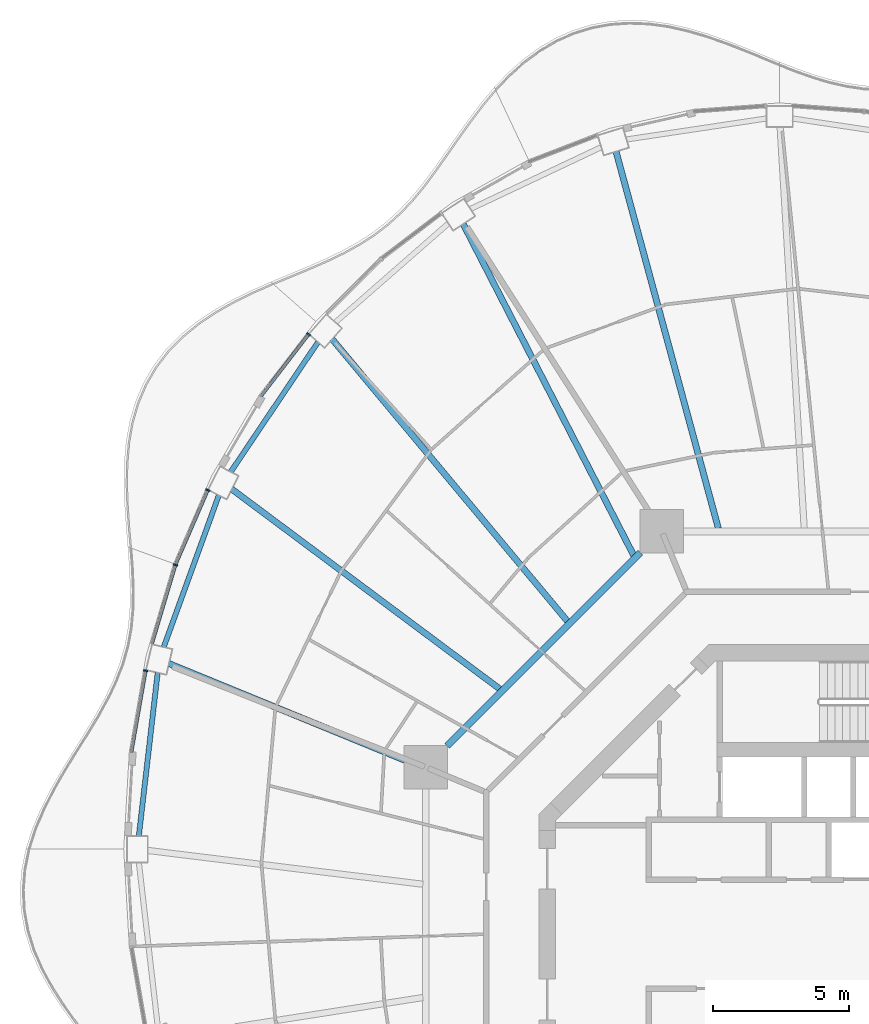
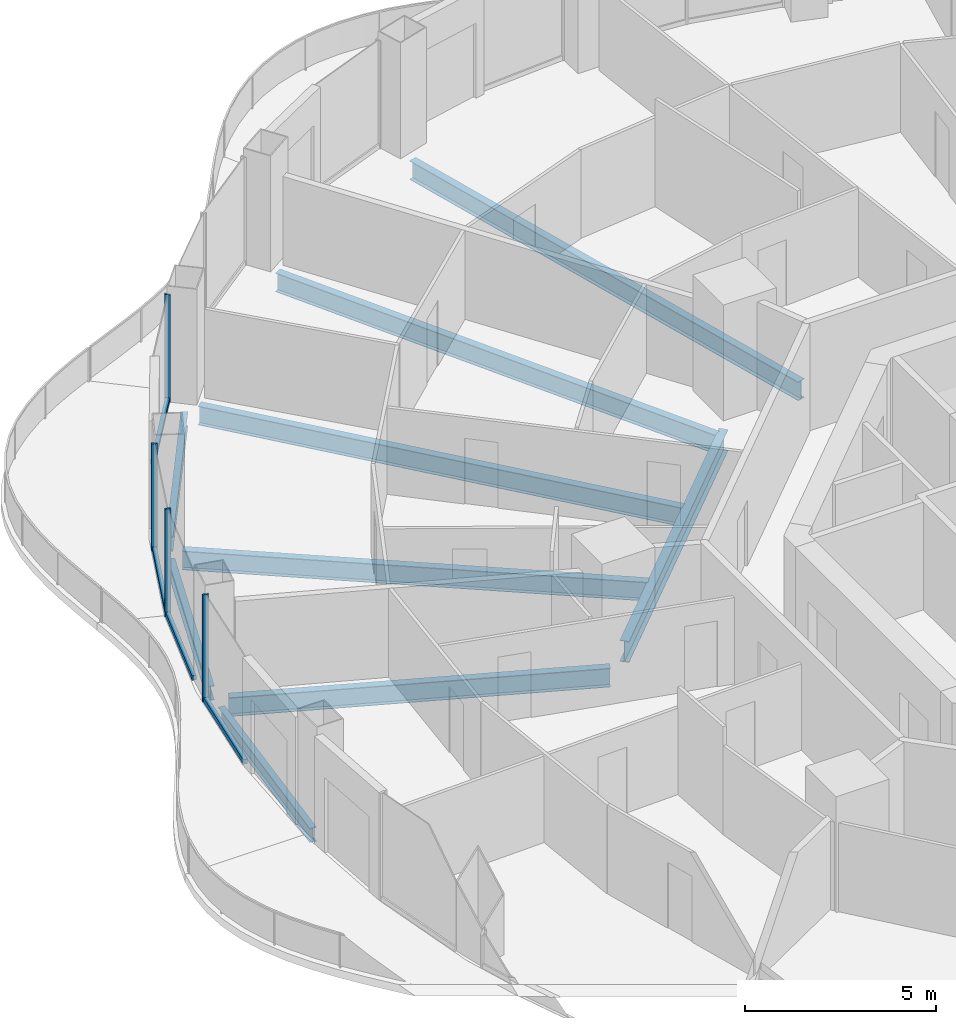
# One storey, part 5 of 18: 9 beams, 8 members, 4 elements without a shape of their own.
"""IFC4 building model written with IfcOpenShell, lengths in metres."""

import ifcopenshell
import ifcopenshell.guid

model = None  # the IFC model being written
_history = None  # IfcOwnerHistory: only IFC2X3 demands one
_inside = {}  # id of a spatial element -> (the spatial element, [elements in it])
_under = {}  # id of a project, library or spatial element -> (it, [spatial elements below it])
_declared = {}  # id of a project -> (the project, [libraries it declares])
_typed = {}  # id of a type object -> (the type object, [elements of that type])
_made_of = {}  # id of a material, layer set ... -> (it, [elements and type objects made of it])


def new_model(schema):
    """Start an empty IFC model of exactly this schema.

    Asked for "IFC4X3", IfcOpenShell would pick the latest addendum, in which some entities
    have other attributes; the version numbers below select the first issue.
    IFC2X3 requires an IfcOwnerHistory on every rooted entity: one is made here for all.
    """
    global model, _history
    if schema == "IFC4X3":
        model = ifcopenshell.file(schema_version=(4, 3, 0, 0))
    else:
        model = ifcopenshell.file(schema=schema)
    _inside.clear()
    _under.clear()
    _declared.clear()
    _typed.clear()
    _made_of.clear()
    _history = None
    if model.schema == "IFC2X3":
        org = make("IfcOrganization", Name="unknown")
        user = make(
            "IfcPersonAndOrganization",
            ThePerson=make("IfcPerson", FamilyName="unknown"),
            TheOrganization=org,
        )
        app = make(
            "IfcApplication",
            ApplicationDeveloper=org,
            Version="unknown",
            ApplicationFullName="unknown",
            ApplicationIdentifier="unknown",
        )
        _history = make(
            "IfcOwnerHistory",
            OwningUser=user,
            OwningApplication=app,
            ChangeAction="ADDED",
            CreationDate=0,
        )
    return model


def make(cls, **values):
    """One entity of the class cls with the attributes given. An attribute that is None is left unset."""
    return model.create_entity(
        cls, **{name: value for name, value in values.items() if value is not None}
    )


def rooted(cls, **values):
    """An entity with a GlobalId (a new one), such as an element, a storey or a relation."""
    return make(cls, GlobalId=ifcopenshell.guid.new(), OwnerHistory=_history, **values)


def si_unit(unit_type, name, prefix=None):
    """IfcSIUnit, for example si_unit("LENGTHUNIT", "METRE", prefix="MILLI")."""
    return make("IfcSIUnit", UnitType=unit_type, Prefix=prefix, Name=name)


def assignment(units):
    """IfcUnitAssignment: the units of a project."""
    return None if units is None else make("IfcUnitAssignment", Units=units)


def point(xyz):
    """IfcCartesianPoint."""
    return None if xyz is None else make("IfcCartesianPoint", Coordinates=xyz)


def direction(xyz):
    """IfcDirection."""
    return None if xyz is None else make("IfcDirection", DirectionRatios=xyz)


def frame(location, z_axis=None, x_axis=None):
    """IfcAxis2Placement3D, a coordinate frame: its origin and axes. An axis left out is left unset."""
    return make(
        "IfcAxis2Placement3D",
        Location=point(location),
        Axis=direction(z_axis),
        RefDirection=direction(x_axis),
    )


def frame_2d(location, x_axis=None):
    """IfcAxis2Placement2D, a coordinate frame in the plane: its origin and x axis."""
    return make(
        "IfcAxis2Placement2D", Location=point(location), RefDirection=direction(x_axis)
    )


def origin():
    """The frame at (0, 0, 0) with its axes left unset."""
    return frame((0.0, 0.0, 0.0))


def origin_2d():
    """The frame at (0, 0) in the plane with its x axis left unset."""
    return frame_2d((0.0, 0.0))


def place(relative_to, where):
    """IfcLocalPlacement: puts the frame where relative to a parent placement (None: the world)."""
    return make(
        "IfcLocalPlacement", PlacementRelTo=relative_to, RelativePlacement=where
    )


def context(
    kind, dimensions, precision=None, world=None, true_north=None, identifier=None
):
    """IfcGeometricRepresentationContext, for example the 3D "Model" context."""
    return make(
        "IfcGeometricRepresentationContext",
        ContextIdentifier=identifier,
        ContextType=kind,
        CoordinateSpaceDimension=dimensions,
        Precision=precision,
        WorldCoordinateSystem=world,
        TrueNorth=true_north,
    )


def subcontext(parent, identifier, kind, view, scale=None):
    """IfcGeometricRepresentationSubContext, for example "Body" below "Model"."""
    return make(
        "IfcGeometricRepresentationSubContext",
        ContextIdentifier=identifier,
        ContextType=kind,
        ParentContext=parent,
        TargetScale=scale,
        TargetView=view,
    )


def project(units=None, contexts=None):
    """IfcProject with its units and contexts."""
    return rooted(
        "IfcProject",
        Name="project",
        RepresentationContexts=contexts,
        UnitsInContext=assignment(units),
    )


def spatial(cls, under=None, at=None, **own):
    """A site, building, storey or space (cls), placed at a placement, below another one or the project."""
    s = rooted(cls, ObjectPlacement=at, **own)
    if under is not None:
        _under.setdefault(under.id(), (under, []))[1].append(s)
    return s


def profile(cls, at=None, kind="AREA", **sizes):
    """A parametric profile (cls). Its sizes go by their IFC names, for example OverallWidth=200.0."""
    return make(cls, ProfileType=kind, Position=at, **sizes)


def rectangle(**sizes):
    """IfcRectangleProfileDef."""
    return profile("IfcRectangleProfileDef", **sizes)


def i_section(**sizes):
    """IfcIShapeProfileDef."""
    return profile("IfcIShapeProfileDef", **sizes)


def extrude(swept, where, along, depth):
    """IfcExtrudedAreaSolid: the profile swept, set in the frame where, extruded along a direction by depth."""
    return make(
        "IfcExtrudedAreaSolid",
        SweptArea=swept,
        Position=where,
        ExtrudedDirection=direction(along),
        Depth=depth,
    )


def shape(context_of_items, identifier, shape_type, items):
    """IfcShapeRepresentation: the items that make up one representation, for example the "Body"."""
    return make(
        "IfcShapeRepresentation",
        ContextOfItems=context_of_items,
        RepresentationIdentifier=identifier,
        RepresentationType=shape_type,
        Items=items,
    )


def material(Name=None, Category=None):
    """IfcMaterial."""
    return make("IfcMaterial", Name=Name, Category=Category)


def layer(
    of_material, thickness, ventilated=None, Name=None, Category=None, Priority=None
):
    """IfcMaterialLayer: one layer of a wall or slab, of a material (None: an air gap)."""
    return make(
        "IfcMaterialLayer",
        Material=of_material,
        LayerThickness=thickness,
        IsVentilated=ventilated,
        Name=Name,
        Category=Category,
        Priority=Priority,
    )


def layer_set(layers, Name=None):
    """IfcMaterialLayerSet."""
    return make("IfcMaterialLayerSet", MaterialLayers=layers, LayerSetName=Name)


def material_profile(
    of_material, cross_section, Name=None, Category=None, Priority=None
):
    """IfcMaterialProfile: a cross section and its material."""
    return make(
        "IfcMaterialProfile",
        Name=Name,
        Material=of_material,
        Profile=cross_section,
        Priority=Priority,
        Category=Category,
    )


def profile_set(profiles, Name=None, composite=None):
    """IfcMaterialProfileSet."""
    return make(
        "IfcMaterialProfileSet",
        Name=Name,
        MaterialProfiles=profiles,
        CompositeProfile=composite,
    )


def made_of(thing, what):
    """Note that an element or type object is made of a material, layer set ...; save() writes the relation."""
    if what is not None:
        _made_of.setdefault(what.id(), (what, []))[1].append(thing)
    return thing


def type_object(cls, material=None, **own):
    """A type object (cls), such as IfcWallType, which elements share."""
    return made_of(rooted(cls, **own), material)


def element(
    cls,
    number,
    at=None,
    inside=None,
    cuts=None,
    type_object=None,
    material=None,
    context=None,
    identifier="Body",
    shape_type=None,
    held_by="IfcProductDefinitionShape",
    body=None,
    shapes=None,
    **own,
):
    """One element of the class cls, such as IfcWall. Its Tag is "e" and its number.

    at: its placement. inside: the storey or other place that contains it. cuts: it is an
    opening in that element (IfcRelVoidsElement). A single representation is given by context,
    identifier, shape_type and body (its items); several are given by shapes. held_by: the class
    of the entity that holds the representations. save() writes the other relations.
    """
    e = rooted(cls, Tag="e%d" % number, ObjectPlacement=at, **own)
    if body is not None:
        shapes = [shape(context, identifier, shape_type, body)]
    if shapes is not None:
        e.Representation = make(held_by, Representations=shapes)
    if inside is not None:
        _inside.setdefault(inside.id(), (inside, []))[1].append(e)
    if cuts is not None:
        rooted(
            "IfcRelVoidsElement", RelatingBuildingElement=cuts, RelatedOpeningElement=e
        )
    if type_object is not None:
        _typed.setdefault(type_object.id(), (type_object, []))[1].append(e)
    return made_of(e, material)


def aggregate(whole, parts):
    """IfcRelAggregates: a whole, such as a stair, and the parts it consists of."""
    return rooted("IfcRelAggregates", RelatingObject=whole, RelatedObjects=parts)


def save(model, path):
    """Write the relations noted so far, then the file.

    IfcRelAggregates (storeys below a building ...), IfcRelContainedInSpatialStructure (elements
    in a storey), IfcRelDefinesByType, IfcRelAssociatesMaterial and IfcRelDeclares: one each for
    every whole, place, type object, material and project.
    """
    for whole, parts in _under.values():
        aggregate(whole, parts)
    for where, things in _inside.values():
        rooted(
            "IfcRelContainedInSpatialStructure",
            RelatedElements=things,
            RelatingStructure=where,
        )
    for kind, things in _typed.values():
        rooted("IfcRelDefinesByType", RelatedObjects=things, RelatingType=kind)
    for what, things in _made_of.values():
        rooted("IfcRelAssociatesMaterial", RelatedObjects=things, RelatingMaterial=what)
    for by, libraries in _declared.values():
        rooted("IfcRelDeclares", RelatingContext=by, RelatedDefinitions=libraries)
    model.write(path)


model = new_model("IFC4")

# Units and contexts
model_context = context("Model", 3, precision=1e-05, world=origin(), true_north=direction((0.0, 1.0)))
body_context = subcontext(model_context, "Body", "Model", "MODEL_VIEW")
ifc_project = project(units=[si_unit("LENGTHUNIT", "METRE"), si_unit("AREAUNIT", "SQUARE_METRE"), si_unit("VOLUMEUNIT", "CUBIC_METRE"), si_unit("PLANEANGLEUNIT", "RADIAN"), si_unit("MASSUNIT", "GRAM", prefix="KILO")], contexts=[model_context])

# Site, building, storey
site_placement = place(None, origin())
site = spatial("IfcSite", under=ifc_project, at=site_placement, CompositionType="ELEMENT")
building_placement = place(site_placement, origin())
building = spatial("IfcBuilding", under=site, at=building_placement, Name="Nagisa Residences", CompositionType="ELEMENT")
storey_placement = place(building_placement, frame((0.0, 0.0, 227.0)))
storey = spatial("IfcBuildingStorey", under=building, at=storey_placement, Name="L57", CompositionType="ELEMENT", Elevation=227.0)

# Curtain wall, member
ifc_material_1 = material(Name="Concrete-coloured aluminium curtain wall system", Category="concrete")
ifc_layer = layer(ifc_material_1, 0.159912109375)
ifc_layer_set = layer_set([ifc_layer], Name="CW1 CURTAIN WALL")
curtain_wall_type = type_object("IfcCurtainWallType", Name="CW1 CURTAIN WALL", PredefinedType="NOTDEFINED", material=ifc_layer_set)
curtain_wall_1_placement = place(storey_placement, origin())
curtain_wall_1 = element("IfcCurtainWall", 1, at=curtain_wall_1_placement, inside=storey, type_object=curtain_wall_type, Name="cw:CW1:L57:18", PredefinedType="NOTDEFINED")
ifc_material_2 = material(Name="Concrete-coloured aluminium", Category="concrete")
ifc_material_profile_1 = material_profile(ifc_material_2, rectangle(XDim=0.159912109375, YDim=0.06005859375, at=origin_2d()), Name="CW1 MULLION 160x60")
ifc_profile_set_1 = profile_set([ifc_material_profile_1], Name="Concrete-coloured aluminium")
member_type_1 = type_object("IfcMemberType", Name="CW1 MULLION 160x60", PredefinedType="MULLION", material=ifc_profile_set_1)
member_1_placement = place(storey_placement, frame((-19.080322265625, 22.0166015625, 0.0), z_axis=(0.0, 0.0, 1.0), x_axis=(0.792070340816, -0.610429828235, 0.0)))
member_1 = element("IfcMember", 2, at=member_1_placement, type_object=member_type_1, Name="CW1 mullion", PredefinedType="MULLION", context=body_context, shape_type="SweptSolid", body=[
    extrude(rectangle(XDim=0.159912109375, YDim=0.06005859375, at=origin_2d()), origin(), (0.0, 0.0, 1.0), 3.43994140625),
])

curtain_wall_2_placement = place(storey_placement, origin())
curtain_wall_2 = element("IfcCurtainWall", 3, at=curtain_wall_2_placement, inside=storey, type_object=curtain_wall_type, Name="cw:CW1:L57:20", PredefinedType="NOTDEFINED")
member_2_placement = place(storey_placement, frame((-22.782470703125, 16.294677734375, 0.0), z_axis=(0.0, 0.0, 1.0), x_axis=(0.917543276295, -0.397635934147, 0.0)))
member_2 = element("IfcMember", 4, at=member_2_placement, type_object=member_type_1, Name="CW1 mullion", PredefinedType="MULLION", context=body_context, shape_type="SweptSolid", body=[
    extrude(rectangle(XDim=0.159912109375, YDim=0.06005859375, at=origin_2d()), origin(), (0.0, 0.0, 1.0), 3.43994140625),
])

curtain_wall_3_placement = place(storey_placement, origin())
curtain_wall_3 = element("IfcCurtainWall", 5, at=curtain_wall_3_placement, inside=storey, type_object=curtain_wall_type, Name="cw:CW1:L57:21", PredefinedType="NOTDEFINED")
member_3_placement = place(storey_placement, frame((-23.9697265625, 13.5478515625, 0.0), z_axis=(0.0, 0.0, 1.0), x_axis=(0.958271310082, -0.285860274038, 0.0)))
member_3 = element("IfcMember", 6, at=member_3_placement, type_object=member_type_1, Name="CW1 mullion", PredefinedType="MULLION", context=body_context, shape_type="SweptSolid", body=[
    extrude(rectangle(XDim=0.159912109375, YDim=0.06005859375, at=origin_2d()), origin(), (0.0, 0.0, 1.0), 3.43994140625),
])

curtain_wall_4_placement = place(storey_placement, origin())
curtain_wall_4 = element("IfcCurtainWall", 7, at=curtain_wall_4_placement, inside=storey, type_object=curtain_wall_type, Name="cw:CW1:L57:22", PredefinedType="NOTDEFINED")
member_4_placement = place(storey_placement, frame((-25.062255859375, 9.6708984375, 0.0), z_axis=(0.0, 0.0, 1.0), x_axis=(0.985063604377, -0.172190868898, 0.0)))
member_4 = element("IfcMember", 8, at=member_4_placement, type_object=member_type_1, Name="CW1 mullion", PredefinedType="MULLION", context=body_context, shape_type="SweptSolid", body=[
    extrude(rectangle(XDim=0.159912109375, YDim=0.06005859375, at=origin_2d()), origin(), (0.0, 0.0, 1.0), 3.43994140625),
])

# Member
ifc_material_3 = material(Name="Concrete-coloured aluminium", Category="concrete")
ifc_material_profile_2 = material_profile(ifc_material_3, rectangle(XDim=0.1201171875, YDim=0.14990234375, at=origin_2d()), Name="CW1 TRANSOM 120x150")
ifc_profile_set_2 = profile_set([ifc_material_profile_2], Name="Concrete-coloured aluminium")
member_type_2 = type_object("IfcMemberType", Name="CW1 TRANSOM 120x150", PredefinedType="USERDEFINED", material=ifc_profile_set_2)
member_5_placement = place(storey_placement, frame((-19.06201171875, 22.04052734375, 0.074951171875), z_axis=(-0.610438565676, -0.792063607001, 0.0), x_axis=(0.792063607001, -0.610438565676, 0.0)))
member_5 = element("IfcMember", 9, at=member_5_placement, type_object=member_type_2, Name="CW1 transom", ObjectType="TRANSOM", PredefinedType="USERDEFINED", context=body_context, shape_type="SweptSolid", body=[
    extrude(rectangle(XDim=0.1201171875, YDim=0.14990234375, at=origin_2d()), origin(), (0.0, 0.0, 1.0), 2.90087890625),
])

aggregate(curtain_wall_1, [member_1, member_5])

member_6_placement = place(storey_placement, frame((-22.770751953125, 16.322021484375, 0.074951171875), z_axis=(-0.397616567135, -0.917551669139, 0.0), x_axis=(0.917551669139, -0.397616567135, 0.0)))
member_6 = element("IfcMember", 10, at=member_6_placement, type_object=member_type_2, Name="CW1 transom", ObjectType="TRANSOM", PredefinedType="USERDEFINED", context=body_context, shape_type="SweptSolid", body=[
    extrude(rectangle(XDim=0.1201171875, YDim=0.14990234375, at=origin_2d()), origin(), (0.0, 0.0, 1.0), 3.001953125),
])

aggregate(curtain_wall_2, [member_2, member_6])

member_7_placement = place(storey_placement, frame((-23.961181640625, 13.576416015625, 0.074951171875), z_axis=(-0.285881452443, -0.958264992134, 0.0), x_axis=(0.958264992134, -0.285881452443, 0.0)))
member_7 = element("IfcMember", 11, at=member_7_placement, type_object=member_type_2, Name="CW1 transom", ObjectType="TRANSOM", PredefinedType="USERDEFINED", context=body_context, shape_type="SweptSolid", body=[
    extrude(rectangle(XDim=0.1201171875, YDim=0.14990234375, at=origin_2d()), origin(), (0.0, 0.0, 1.0), 3.040283203125),
])

aggregate(curtain_wall_3, [member_3, member_7])

member_8_placement = place(storey_placement, frame((-25.05712890625, 9.700439453125, 0.074951171875), z_axis=(-0.172164083933, -0.985068286061, 0.0), x_axis=(0.985068286061, -0.172164083933, 0.0)))
member_8 = element("IfcMember", 12, at=member_8_placement, type_object=member_type_2, Name="CW1 transom", ObjectType="TRANSOM", PredefinedType="USERDEFINED", context=body_context, shape_type="SweptSolid", body=[
    extrude(rectangle(XDim=0.1201171875, YDim=0.14990234375, at=origin_2d()), origin(), (0.0, 0.0, 1.0), 3.0673828125),
])

aggregate(curtain_wall_4, [member_4, member_8])

# Beams
ifc_material_4 = material(Name="Steel ASTM A572 Gr 50", Category="steel")
ifc_material_profile_3 = material_profile(ifc_material_4, i_section(OverallWidth=0.2529296875, OverallDepth=0.677978515625, WebThickness=0.01171875, FlangeThickness=0.016357421875, at=origin_2d()), Name="W690x125")
ifc_profile_set_3 = profile_set([ifc_material_profile_3], Name="Steel ASTM A572 Gr 50")
beam_type_1 = type_object("IfcBeamType", Name="Inner ring beam W690x125", PredefinedType="BEAM", material=ifc_profile_set_3)
beam_1_placement = place(storey_placement, frame((-6.90869140625, 13.99609375, -0.59912109375), z_axis=(-0.707106781187, -0.707106781187, 0.0), x_axis=(0.707106781187, -0.707106781187, 0.0)))
element("IfcBeam", 13, at=beam_1_placement, inside=storey, type_object=beam_type_1, Name="beam:L57:ib3", PredefinedType="BEAM", context=body_context, shape_type="SweptSolid", body=[
    extrude(i_section(OverallWidth=0.2529296875, OverallDepth=0.677978515625, WebThickness=0.01171875, FlangeThickness=0.016357421875, at=origin_2d()), origin(), (0.0, 0.0, 1.0), 10.023193359375),
])
ifc_material_5 = material(Name="Steel ASTM A572 Gr 50", Category="steel")
ifc_material_profile_4 = material_profile(ifc_material_5, i_section(OverallWidth=0.18994140625, OverallDepth=0.45703125, WebThickness=0.009033203125, FlangeThickness=0.014404296875, at=origin_2d()), Name="W460x74")
ifc_profile_set_4 = profile_set([ifc_material_profile_4], Name="Steel ASTM A572 Gr 50")
beam_type_2 = type_object("IfcBeamType", Name="Perimeter ring beam W460x74", PredefinedType="BEAM", material=ifc_profile_set_4)
beam_2_placement = place(storey_placement, frame((-18.73681640625, 21.72998046875, -0.488525390625), z_axis=(-0.558079852096, -0.829787249049, 0.0), x_axis=(0.829787249049, -0.558079852096, 0.0)))
element("IfcBeam", 14, at=beam_2_placement, inside=storey, type_object=beam_type_2, Name="beam:L57:pb10", PredefinedType="BEAM", context=body_context, shape_type="SweptSolid", body=[
    extrude(i_section(OverallWidth=0.18994140625, OverallDepth=0.45703125, WebThickness=0.009033203125, FlangeThickness=0.014404296875, at=origin_2d()), origin(), (0.0, 0.0, 1.0), 5.743408203125),
])
beam_3_placement = place(storey_placement, frame((-22.377197265625, 16.108154296875, -0.488525390625), z_axis=(-0.34127712749, -0.939962723863, 0.0), x_axis=(0.939962723863, -0.34127712749, 0.0)))
element("IfcBeam", 15, at=beam_3_placement, inside=storey, type_object=beam_type_2, Name="beam:L57:pb11", PredefinedType="BEAM", context=body_context, shape_type="SweptSolid", body=[
    extrude(i_section(OverallWidth=0.18994140625, OverallDepth=0.45703125, WebThickness=0.009033203125, FlangeThickness=0.014404296875, at=origin_2d()), origin(), (0.0, 0.0, 1.0), 5.9326171875),
])
beam_4_placement = place(storey_placement, frame((-24.622314453125, 9.59716796875, -0.488525390625), z_axis=(-0.114650193512, -0.993405925656, 0.0), x_axis=(0.993405925656, -0.114650193512, 0.0)))
element("IfcBeam", 16, at=beam_4_placement, inside=storey, type_object=beam_type_2, Name="beam:L57:pb12", PredefinedType="BEAM", context=body_context, shape_type="SweptSolid", body=[
    extrude(i_section(OverallWidth=0.18994140625, OverallDepth=0.45703125, WebThickness=0.009033203125, FlangeThickness=0.014404296875, at=origin_2d()), origin(), (0.0, 0.0, 1.0), 6.0390625),
])
ifc_material_6 = material(Name="Steel ASTM A572 Gr 50", Category="steel")
ifc_material_profile_5 = material_profile(ifc_material_6, i_section(OverallWidth=0.22802734375, OverallDepth=0.60302734375, WebThickness=0.010498046875, FlangeThickness=0.014892578125, at=origin_2d()), Name="W610x101")
ifc_profile_set_5 = profile_set([ifc_material_profile_5], Name="Steel ASTM A572 Gr 50")
beam_type_3 = type_object("IfcBeamType", Name="Radial beam W610x101", PredefinedType="BEAM", material=ifc_profile_set_5)
beam_5_placement = place(storey_placement, frame((-7.80078125, 28.724609375, -0.5615234375), z_axis=(0.26207978084, -0.965046210539, 0.0), x_axis=(0.965046210539, 0.26207978084, 0.0)))
element("IfcBeam", 17, at=beam_5_placement, inside=storey, type_object=beam_type_3, Name="beam:L57:rb08", PredefinedType="BEAM", context=body_context, shape_type="SweptSolid", body=[
    extrude(i_section(OverallWidth=0.22802734375, OverallDepth=0.60302734375, WebThickness=0.010498046875, FlangeThickness=0.014892578125, at=origin_2d()), origin(), (0.0, 0.0, 1.0), 14.336669921875),
])
beam_6_placement = place(storey_placement, frame((-13.41015625, 26.065185546875, -0.5615234375), z_axis=(0.457487565814, -0.889216018257, 0.0), x_axis=(0.889216018257, 0.457487565814, 0.0)))
element("IfcBeam", 18, at=beam_6_placement, inside=storey, type_object=beam_type_3, Name="beam:L57:rb09", PredefinedType="BEAM", context=body_context, shape_type="SweptSolid", body=[
    extrude(i_section(OverallWidth=0.22802734375, OverallDepth=0.60302734375, WebThickness=0.010498046875, FlangeThickness=0.014892578125, at=origin_2d()), origin(), (0.0, 0.0, 1.0), 13.676513671875),
])
beam_7_placement = place(storey_placement, frame((-18.219970703125, 21.83642578125, -0.5615234375), z_axis=(0.64065600401, -0.767828030568, 0.0), x_axis=(0.767828030568, 0.64065600401, 0.0)))
element("IfcBeam", 19, at=beam_7_placement, inside=storey, type_object=beam_type_3, Name="beam:L57:rb10", PredefinedType="BEAM", context=body_context, shape_type="SweptSolid", body=[
    extrude(i_section(OverallWidth=0.22802734375, OverallDepth=0.60302734375, WebThickness=0.010498046875, FlangeThickness=0.014892578125, at=origin_2d()), origin(), (0.0, 0.0, 1.0), 13.490234375),
])
beam_8_placement = place(storey_placement, frame((-21.90283203125, 16.33203125, -0.5615234375), z_axis=(0.801674643351, -0.597760626177, 0.0), x_axis=(0.597760626177, 0.801674643351, 0.0)))
element("IfcBeam", 20, at=beam_8_placement, inside=storey, type_object=beam_type_3, Name="beam:L57:rb11", PredefinedType="BEAM", context=body_context, shape_type="SweptSolid", body=[
    extrude(i_section(OverallWidth=0.22802734375, OverallDepth=0.60302734375, WebThickness=0.010498046875, FlangeThickness=0.014892578125, at=origin_2d()), origin(), (0.0, 0.0, 1.0), 12.275634765625),
])
beam_9_placement = place(storey_placement, frame((-24.210693359375, 9.93115234375, -0.5615234375), z_axis=(0.925188691773, -0.379507423663, 0.0), x_axis=(0.379507423663, 0.925188691773, 0.0)))
element("IfcBeam", 21, at=beam_9_placement, inside=storey, type_object=beam_type_3, Name="beam:L57:rb12", PredefinedType="BEAM", context=body_context, shape_type="SweptSolid", body=[
    extrude(i_section(OverallWidth=0.22802734375, OverallDepth=0.60302734375, WebThickness=0.010498046875, FlangeThickness=0.014892578125, at=origin_2d()), origin(), (0.0, 0.0, 1.0), 10.07421875),
])

save(model, "model.ifc")
